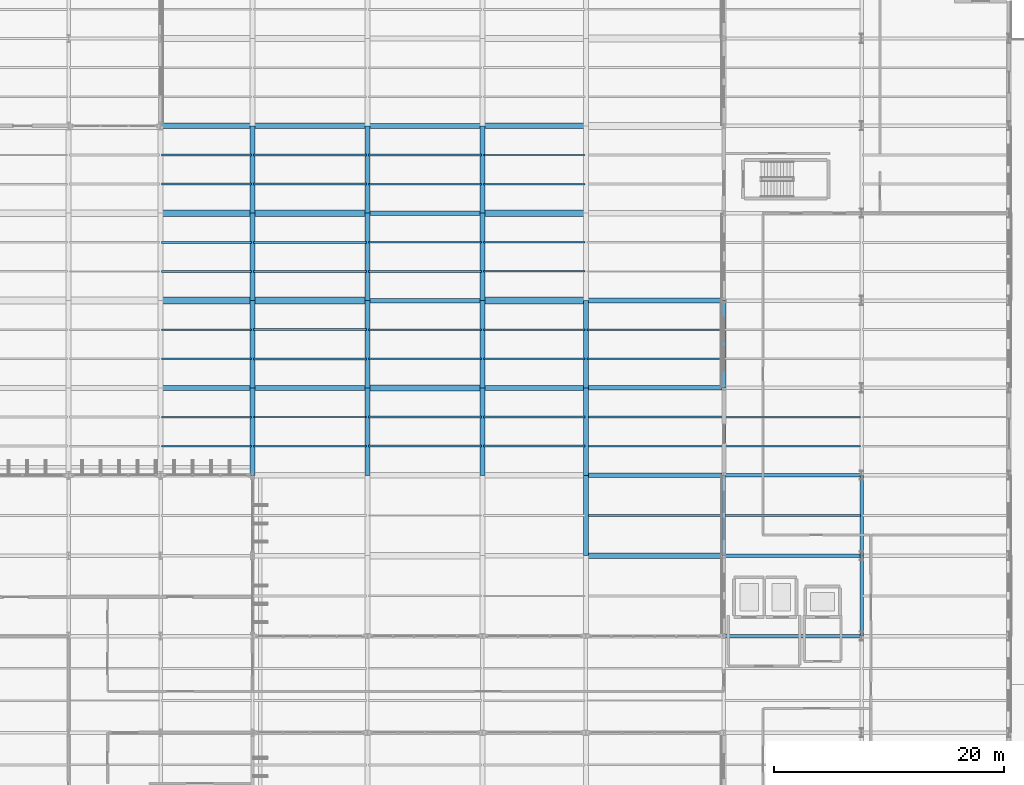
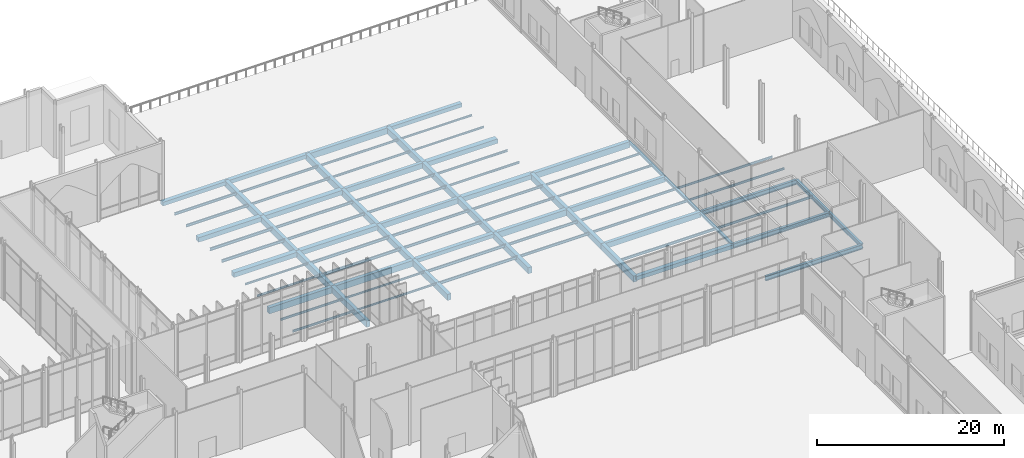
# One storey, part 111 of 176: 83 beams.
"""IFC4 building model written with IfcOpenShell, lengths in metres."""

from ifc_helpers import new_model, si_unit, direction, frame, origin, origin_2d, place, context, subcontext, project, spatial, rectangle, i_section, extrude, material, material_profile, profile_set, type_object, element, save


model = new_model("IFC4")

# Units and contexts
model_context = context("Model", 3, precision=1e-05, world=origin(), true_north=direction((0.0, 1.0)))
body_context = subcontext(model_context, "Body", "Model", "MODEL_VIEW")
ifc_project = project(units=[si_unit("LENGTHUNIT", "METRE"), si_unit("AREAUNIT", "SQUARE_METRE"), si_unit("VOLUMEUNIT", "CUBIC_METRE"), si_unit("PLANEANGLEUNIT", "RADIAN"), si_unit("MASSUNIT", "GRAM", prefix="KILO")], contexts=[model_context])

# Site, building, storey
site_placement = place(None, origin())
site = spatial("IfcSite", under=ifc_project, at=site_placement, CompositionType="ELEMENT")
building_placement = place(site_placement, origin())
building = spatial("IfcBuilding", under=site, at=building_placement, Name="Vekula Escarpment Museum", CompositionType="ELEMENT")
storey_placement = place(building_placement, origin())
storey = spatial("IfcBuildingStorey", under=building, at=storey_placement, Name="L01", CompositionType="ELEMENT", Elevation=0.0)

# Beams
ifc_material_1 = material(Name="Steel S355", Category="steel")
ifc_material_profile_1 = material_profile(ifc_material_1, i_section(OverallWidth=0.300048828125, OverallDepth=0.550048828125, WebThickness=0.014892578125, FlangeThickness=0.029052734375, FilletRadius=0.027099609375, at=origin_2d()), Name="HEB 550")
ifc_profile_set_1 = profile_set([ifc_material_profile_1], Name="Steel S355")
beam_type_1 = type_object("IfcBeamType", Name="BM-GIRD-HEB550", PredefinedType="BEAM", material=ifc_profile_set_1)
for number, where, z_axis, x_axis, name in (
    (1, (179.0, 76.39990234375, -0.574951171875), (0.0, 1.0, 0.0), (-1.0, 0.0, 0.0), "Beam Y L01 0754"),
    (2, (179.0, 83.39990234375, -0.574951171875), (0.0, 1.0, 0.0), (-1.0, 0.0, 0.0), "Beam Y L01 0755"),
):
    element("IfcBeam", number, at=place(storey_placement, frame(where, z_axis=z_axis, x_axis=x_axis)), inside=storey, type_object=beam_type_1, Name=name, PredefinedType="BEAM", context=body_context, shape_type="SweptSolid", body=[
        extrude(i_section(OverallWidth=0.300048828125, OverallDepth=0.550048828125, WebThickness=0.014892578125, FlangeThickness=0.029052734375, FilletRadius=0.027099609375, at=origin_2d()), origin(), (0.0, 0.0, 1.0), 7.0),
    ])
ifc_material_2 = material(Name="Steel S355", Category="steel")
ifc_material_profile_2 = material_profile(ifc_material_2, i_section(OverallWidth=0.300048828125, OverallDepth=0.60009765625, WebThickness=0.015380859375, FlangeThickness=0.030029296875, FilletRadius=0.027099609375, at=origin_2d()), Name="HEB 600")
ifc_profile_set_2 = profile_set([ifc_material_profile_2], Name="Steel S355")
beam_type_2 = type_object("IfcBeamType", Name="BM-GIRD-HEB600", PredefinedType="BEAM", material=ifc_profile_set_2)
for number, where, z_axis, x_axis, name in (
    (3, (167.0, 76.39990234375, -0.60009765625), (1.0, 0.0, 0.0), (0.0, 1.0, 0.0), "Beam X L01 0226"),
    (4, (167.0, 83.39990234375, -0.60009765625), (1.0, 0.0, 0.0), (0.0, 1.0, 0.0), "Beam X L01 0249"),
    (5, (167.0, 90.39990234375, -0.60009765625), (1.0, 0.0, 0.0), (0.0, 1.0, 0.0), "Beam X L01 0268"),
):
    element("IfcBeam", number, at=place(storey_placement, frame(where, z_axis=z_axis, x_axis=x_axis)), inside=storey, type_object=beam_type_2, Name=name, PredefinedType="BEAM", context=body_context, shape_type="SweptSolid", body=[
        extrude(i_section(OverallWidth=0.300048828125, OverallDepth=0.60009765625, WebThickness=0.015380859375, FlangeThickness=0.030029296875, FilletRadius=0.027099609375, at=origin_2d()), origin(), (0.0, 0.0, 1.0), 12.0),
    ])
ifc_material_3 = material(Name="Steel S355", Category="steel")
ifc_material_profile_3 = material_profile(ifc_material_3, i_section(OverallWidth=0.1201171875, OverallDepth=0.239990234375, WebThickness=0.006103515625, FlangeThickness=0.009765625, FilletRadius=0.014892578125, at=origin_2d()), Name="IPE 240")
ifc_profile_set_3 = profile_set([ifc_material_profile_3], Name="Steel S355")
beam_type_3 = type_object("IfcBeamType", Name="BM-JST-IPE240", PredefinedType="JOIST", material=ifc_profile_set_3)
for number, where, z_axis, x_axis, name in (
    (6, (118.090087890625, 100.533203125, -0.419921875), (1.0, 0.0, 0.0), (0.0, 1.0, 0.0), "Secondary Joist L01 0403"),
    (7, (118.090087890625, 103.066650390625, -0.419921875), (1.0, 0.0, 0.0), (0.0, 1.0, 0.0), "Secondary Joist L01 0404"),
):
    element("IfcBeam", number, at=place(storey_placement, frame(where, z_axis=z_axis, x_axis=x_axis)), inside=storey, type_object=beam_type_3, Name=name, PredefinedType="JOIST", context=body_context, shape_type="SweptSolid", body=[
        extrude(i_section(OverallWidth=0.1201171875, OverallDepth=0.239990234375, WebThickness=0.006103515625, FlangeThickness=0.009765625, FilletRadius=0.014892578125, at=origin_2d()), origin(), (0.0, 0.0, 1.0), 7.81982421875),
    ])
for number, where, z_axis, x_axis, name in (
    (8, (126.090087890625, 92.933349609375, -0.419921875), (1.0, 0.0, 0.0), (0.0, 1.0, 0.0), "Secondary Joist L01 0433"),
    (9, (126.090087890625, 95.466796875, -0.419921875), (1.0, 0.0, 0.0), (0.0, 1.0, 0.0), "Secondary Joist L01 0434"),
):
    element("IfcBeam", number, at=place(storey_placement, frame(where, z_axis=z_axis, x_axis=x_axis)), inside=storey, type_object=beam_type_3, Name=name, PredefinedType="JOIST", context=body_context, shape_type="SweptSolid", body=[
        extrude(i_section(OverallWidth=0.1201171875, OverallDepth=0.239990234375, WebThickness=0.006103515625, FlangeThickness=0.009765625, FilletRadius=0.014892578125, at=origin_2d()), origin(), (0.0, 0.0, 1.0), 9.81982421875),
    ])
for number, where, z_axis, x_axis, name in (
    (10, (146.090087890625, 115.7333984375, -0.419921875), (1.0, 0.0, 0.0), (0.0, 1.0, 0.0), "Secondary Joist L01 0501"),
    (11, (146.090087890625, 118.2666015625, -0.419921875), (1.0, 0.0, 0.0), (0.0, 1.0, 0.0), "Secondary Joist L01 0502"),
):
    element("IfcBeam", number, at=place(storey_placement, frame(where, z_axis=z_axis, x_axis=x_axis)), inside=storey, type_object=beam_type_3, Name=name, PredefinedType="JOIST", context=body_context, shape_type="SweptSolid", body=[
        extrude(i_section(OverallWidth=0.1201171875, OverallDepth=0.239990234375, WebThickness=0.006103515625, FlangeThickness=0.009765625, FilletRadius=0.014892578125, at=origin_2d()), origin(), (0.0, 0.0, 1.0), 8.81982421875),
    ])
ifc_material_4 = material(Name="Steel S355", Category="steel")
ifc_material_profile_4 = material_profile(ifc_material_4, i_section(OverallWidth=0.135009765625, OverallDepth=0.27001953125, WebThickness=0.006591796875, FlangeThickness=0.01025390625, FilletRadius=0.014892578125, at=origin_2d()), Name="IPE 270")
ifc_profile_set_4 = profile_set([ifc_material_profile_4], Name="Steel S355")
beam_type_4 = type_object("IfcBeamType", Name="BM-JST-IPE270", PredefinedType="JOIST", material=ifc_profile_set_4)
for number, where, z_axis, x_axis, name in (
    (12, (118.090087890625, 92.933349609375, -0.43505859375), (1.0, 0.0, 0.0), (0.0, 1.0, 0.0), "Secondary Joist L01 0401"),
    (13, (118.090087890625, 95.466796875, -0.43505859375), (1.0, 0.0, 0.0), (0.0, 1.0, 0.0), "Secondary Joist L01 0402"),
):
    element("IfcBeam", number, at=place(storey_placement, frame(where, z_axis=z_axis, x_axis=x_axis)), inside=storey, type_object=beam_type_4, Name=name, PredefinedType="JOIST", context=body_context, shape_type="SweptSolid", body=[
        extrude(i_section(OverallWidth=0.135009765625, OverallDepth=0.27001953125, WebThickness=0.006591796875, FlangeThickness=0.01025390625, FilletRadius=0.014892578125, at=origin_2d()), origin(), (0.0, 0.0, 1.0), 7.81982421875),
    ])
for number, where, z_axis, x_axis, name in (
    (14, (136.090087890625, 115.7333984375, -0.43505859375), (1.0, 0.0, 0.0), (0.0, 1.0, 0.0), "Secondary Joist L01 0469"),
    (15, (136.090087890625, 118.2666015625, -0.43505859375), (1.0, 0.0, 0.0), (0.0, 1.0, 0.0), "Secondary Joist L01 0470"),
):
    element("IfcBeam", number, at=place(storey_placement, frame(where, z_axis=z_axis, x_axis=x_axis)), inside=storey, type_object=beam_type_4, Name=name, PredefinedType="JOIST", context=body_context, shape_type="SweptSolid", body=[
        extrude(i_section(OverallWidth=0.135009765625, OverallDepth=0.27001953125, WebThickness=0.006591796875, FlangeThickness=0.01025390625, FilletRadius=0.014892578125, at=origin_2d()), origin(), (0.0, 0.0, 1.0), 9.81982421875),
    ])
for number, where, z_axis, x_axis, name in (
    (16, (146.090087890625, 108.13330078125, -0.43505859375), (1.0, 0.0, 0.0), (0.0, 1.0, 0.0), "Secondary Joist L01 0499"),
    (17, (146.090087890625, 110.666748046875, -0.43505859375), (1.0, 0.0, 0.0), (0.0, 1.0, 0.0), "Secondary Joist L01 0500"),
):
    element("IfcBeam", number, at=place(storey_placement, frame(where, z_axis=z_axis, x_axis=x_axis)), inside=storey, type_object=beam_type_4, Name=name, PredefinedType="JOIST", context=body_context, shape_type="SweptSolid", body=[
        extrude(i_section(OverallWidth=0.135009765625, OverallDepth=0.27001953125, WebThickness=0.006591796875, FlangeThickness=0.01025390625, FilletRadius=0.014892578125, at=origin_2d()), origin(), (0.0, 0.0, 1.0), 8.81982421875),
    ])
for number, where, z_axis, x_axis, name in (
    (18, (155.090087890625, 100.533203125, -0.43505859375), (1.0, 0.0, 0.0), (0.0, 1.0, 0.0), "Secondary Joist L01 0529"),
    (19, (155.090087890625, 103.066650390625, -0.43505859375), (1.0, 0.0, 0.0), (0.0, 1.0, 0.0), "Secondary Joist L01 0530"),
    (20, (167.090087890625, 92.933349609375, -0.43505859375), (1.0, 0.0, 0.0), (0.0, 1.0, 0.0), "Secondary Joist L01 0557"),
    (21, (167.090087890625, 95.466796875, -0.43505859375), (1.0, 0.0, 0.0), (0.0, 1.0, 0.0), "Secondary Joist L01 0558"),
):
    element("IfcBeam", number, at=place(storey_placement, frame(where, z_axis=z_axis, x_axis=x_axis)), inside=storey, type_object=beam_type_4, Name=name, PredefinedType="JOIST", context=body_context, shape_type="SweptSolid", body=[
        extrude(i_section(OverallWidth=0.135009765625, OverallDepth=0.27001953125, WebThickness=0.006591796875, FlangeThickness=0.01025390625, FilletRadius=0.014892578125, at=origin_2d()), origin(), (0.0, 0.0, 1.0), 11.81982421875),
    ])
ifc_material_5 = material(Name="Steel S355", Category="steel")
ifc_material_profile_5 = material_profile(ifc_material_5, i_section(OverallWidth=0.14990234375, OverallDepth=0.300048828125, WebThickness=0.007080078125, FlangeThickness=0.0107421875, FilletRadius=0.014892578125, at=origin_2d()), Name="IPE 300")
ifc_profile_set_5 = profile_set([ifc_material_profile_5], Name="Steel S355")
beam_type_5 = type_object("IfcBeamType", Name="BM-JST-IPE300", PredefinedType="JOIST", material=ifc_profile_set_5)
for number, where, z_axis, x_axis, name in (
    (22, (126.090087890625, 115.7333984375, -0.449951171875), (1.0, 0.0, 0.0), (0.0, 1.0, 0.0), "Secondary Joist L01 0439"),
    (23, (126.090087890625, 118.2666015625, -0.449951171875), (1.0, 0.0, 0.0), (0.0, 1.0, 0.0), "Secondary Joist L01 0440"),
    (24, (136.090087890625, 108.13330078125, -0.449951171875), (1.0, 0.0, 0.0), (0.0, 1.0, 0.0), "Secondary Joist L01 0467"),
    (25, (136.090087890625, 110.666748046875, -0.449951171875), (1.0, 0.0, 0.0), (0.0, 1.0, 0.0), "Secondary Joist L01 0468"),
):
    element("IfcBeam", number, at=place(storey_placement, frame(where, z_axis=z_axis, x_axis=x_axis)), inside=storey, type_object=beam_type_5, Name=name, PredefinedType="JOIST", context=body_context, shape_type="SweptSolid", body=[
        extrude(i_section(OverallWidth=0.14990234375, OverallDepth=0.300048828125, WebThickness=0.007080078125, FlangeThickness=0.0107421875, FilletRadius=0.014892578125, at=origin_2d()), origin(), (0.0, 0.0, 1.0), 9.81982421875),
    ])
for number, where, z_axis, x_axis, name in (
    (26, (146.090087890625, 100.533203125, -0.449951171875), (1.0, 0.0, 0.0), (0.0, 1.0, 0.0), "Secondary Joist L01 0497"),
    (27, (146.090087890625, 103.066650390625, -0.449951171875), (1.0, 0.0, 0.0), (0.0, 1.0, 0.0), "Secondary Joist L01 0498"),
):
    element("IfcBeam", number, at=place(storey_placement, frame(where, z_axis=z_axis, x_axis=x_axis)), inside=storey, type_object=beam_type_5, Name=name, PredefinedType="JOIST", context=body_context, shape_type="SweptSolid", body=[
        extrude(i_section(OverallWidth=0.14990234375, OverallDepth=0.300048828125, WebThickness=0.007080078125, FlangeThickness=0.0107421875, FilletRadius=0.014892578125, at=origin_2d()), origin(), (0.0, 0.0, 1.0), 8.81982421875),
    ])
for number, where, z_axis, x_axis, name in (
    (28, (155.090087890625, 92.933349609375, -0.449951171875), (1.0, 0.0, 0.0), (0.0, 1.0, 0.0), "Secondary Joist L01 0527"),
    (29, (155.090087890625, 95.466796875, -0.449951171875), (1.0, 0.0, 0.0), (0.0, 1.0, 0.0), "Secondary Joist L01 0528"),
    (30, (167.090087890625, 86.89990234375, -0.449951171875), (1.0, 0.0, 0.0), (0.0, 1.0, 0.0), "Secondary Joist L01 0556"),
):
    element("IfcBeam", number, at=place(storey_placement, frame(where, z_axis=z_axis, x_axis=x_axis)), inside=storey, type_object=beam_type_5, Name=name, PredefinedType="JOIST", context=body_context, shape_type="SweptSolid", body=[
        extrude(i_section(OverallWidth=0.14990234375, OverallDepth=0.300048828125, WebThickness=0.007080078125, FlangeThickness=0.0107421875, FilletRadius=0.014892578125, at=origin_2d()), origin(), (0.0, 0.0, 1.0), 11.81982421875),
    ])
ifc_material_6 = material(Name="Steel S355", Category="steel")
ifc_material_profile_6 = material_profile(ifc_material_6, i_section(OverallWidth=0.159912109375, OverallDepth=0.330078125, WebThickness=0.007568359375, FlangeThickness=0.011474609375, FilletRadius=0.01806640625, at=origin_2d()), Name="IPE 330")
ifc_profile_set_6 = profile_set([ifc_material_profile_6], Name="Steel S355")
beam_type_6 = type_object("IfcBeamType", Name="BM-JST-IPE330", PredefinedType="JOIST", material=ifc_profile_set_6)
for number, where, z_axis, x_axis, name in (
    (31, (118.090087890625, 115.7333984375, -0.465087890625), (1.0, 0.0, 0.0), (0.0, 1.0, 0.0), "Secondary Joist L01 0407"),
    (32, (118.090087890625, 118.2666015625, -0.465087890625), (1.0, 0.0, 0.0), (0.0, 1.0, 0.0), "Secondary Joist L01 0408"),
):
    element("IfcBeam", number, at=place(storey_placement, frame(where, z_axis=z_axis, x_axis=x_axis)), inside=storey, type_object=beam_type_6, Name=name, PredefinedType="JOIST", context=body_context, shape_type="SweptSolid", body=[
        extrude(i_section(OverallWidth=0.159912109375, OverallDepth=0.330078125, WebThickness=0.007568359375, FlangeThickness=0.011474609375, FilletRadius=0.01806640625, at=origin_2d()), origin(), (0.0, 0.0, 1.0), 7.81982421875),
    ])
for number, where, z_axis, x_axis, name in (
    (33, (126.090087890625, 108.13330078125, -0.465087890625), (1.0, 0.0, 0.0), (0.0, 1.0, 0.0), "Secondary Joist L01 0437"),
    (34, (126.090087890625, 110.666748046875, -0.465087890625), (1.0, 0.0, 0.0), (0.0, 1.0, 0.0), "Secondary Joist L01 0438"),
    (35, (136.090087890625, 100.533203125, -0.465087890625), (1.0, 0.0, 0.0), (0.0, 1.0, 0.0), "Secondary Joist L01 0465"),
    (36, (136.090087890625, 103.066650390625, -0.465087890625), (1.0, 0.0, 0.0), (0.0, 1.0, 0.0), "Secondary Joist L01 0466"),
):
    element("IfcBeam", number, at=place(storey_placement, frame(where, z_axis=z_axis, x_axis=x_axis)), inside=storey, type_object=beam_type_6, Name=name, PredefinedType="JOIST", context=body_context, shape_type="SweptSolid", body=[
        extrude(i_section(OverallWidth=0.159912109375, OverallDepth=0.330078125, WebThickness=0.007568359375, FlangeThickness=0.011474609375, FilletRadius=0.01806640625, at=origin_2d()), origin(), (0.0, 0.0, 1.0), 9.81982421875),
    ])
for number, where, z_axis, x_axis, name in (
    (37, (146.090087890625, 92.933349609375, -0.465087890625), (1.0, 0.0, 0.0), (0.0, 1.0, 0.0), "Secondary Joist L01 0495"),
    (38, (146.090087890625, 95.466796875, -0.465087890625), (1.0, 0.0, 0.0), (0.0, 1.0, 0.0), "Secondary Joist L01 0496"),
):
    element("IfcBeam", number, at=place(storey_placement, frame(where, z_axis=z_axis, x_axis=x_axis)), inside=storey, type_object=beam_type_6, Name=name, PredefinedType="JOIST", context=body_context, shape_type="SweptSolid", body=[
        extrude(i_section(OverallWidth=0.159912109375, OverallDepth=0.330078125, WebThickness=0.007568359375, FlangeThickness=0.011474609375, FilletRadius=0.01806640625, at=origin_2d()), origin(), (0.0, 0.0, 1.0), 8.81982421875),
    ])
beam_1_placement = place(storey_placement, frame((155.090087890625, 86.89990234375, -0.465087890625), z_axis=(1.0, 0.0, 0.0), x_axis=(0.0, 1.0, 0.0)))
element("IfcBeam", 39, at=beam_1_placement, inside=storey, type_object=beam_type_6, Name="Secondary Joist L01 0526", PredefinedType="JOIST", context=body_context, shape_type="SweptSolid", body=[
    extrude(i_section(OverallWidth=0.159912109375, OverallDepth=0.330078125, WebThickness=0.007568359375, FlangeThickness=0.011474609375, FilletRadius=0.01806640625, at=origin_2d()), origin(), (0.0, 0.0, 1.0), 11.81982421875),
])
ifc_material_7 = material(Name="Steel S355", Category="steel")
ifc_material_profile_7 = material_profile(ifc_material_7, i_section(OverallWidth=0.169921875, OverallDepth=0.360107421875, WebThickness=0.008056640625, FlangeThickness=0.0126953125, FilletRadius=0.01806640625, at=origin_2d()), Name="IPE 360")
ifc_profile_set_7 = profile_set([ifc_material_profile_7], Name="Steel S355")
beam_type_7 = type_object("IfcBeamType", Name="BM-JST-IPE360", PredefinedType="JOIST", material=ifc_profile_set_7)
for number, where, z_axis, x_axis, name in (
    (40, (118.090087890625, 108.13330078125, -0.47998046875), (1.0, 0.0, 0.0), (0.0, 1.0, 0.0), "Secondary Joist L01 0405"),
    (41, (118.090087890625, 110.666748046875, -0.47998046875), (1.0, 0.0, 0.0), (0.0, 1.0, 0.0), "Secondary Joist L01 0406"),
):
    element("IfcBeam", number, at=place(storey_placement, frame(where, z_axis=z_axis, x_axis=x_axis)), inside=storey, type_object=beam_type_7, Name=name, PredefinedType="JOIST", context=body_context, shape_type="SweptSolid", body=[
        extrude(i_section(OverallWidth=0.169921875, OverallDepth=0.360107421875, WebThickness=0.008056640625, FlangeThickness=0.0126953125, FilletRadius=0.01806640625, at=origin_2d()), origin(), (0.0, 0.0, 1.0), 7.81982421875),
    ])
for number, where, z_axis, x_axis, name in (
    (42, (126.090087890625, 100.533203125, -0.47998046875), (1.0, 0.0, 0.0), (0.0, 1.0, 0.0), "Secondary Joist L01 0435"),
    (43, (126.090087890625, 103.066650390625, -0.47998046875), (1.0, 0.0, 0.0), (0.0, 1.0, 0.0), "Secondary Joist L01 0436"),
    (44, (136.090087890625, 92.933349609375, -0.47998046875), (1.0, 0.0, 0.0), (0.0, 1.0, 0.0), "Secondary Joist L01 0463"),
    (45, (136.090087890625, 95.466796875, -0.47998046875), (1.0, 0.0, 0.0), (0.0, 1.0, 0.0), "Secondary Joist L01 0464"),
):
    element("IfcBeam", number, at=place(storey_placement, frame(where, z_axis=z_axis, x_axis=x_axis)), inside=storey, type_object=beam_type_7, Name=name, PredefinedType="JOIST", context=body_context, shape_type="SweptSolid", body=[
        extrude(i_section(OverallWidth=0.169921875, OverallDepth=0.360107421875, WebThickness=0.008056640625, FlangeThickness=0.0126953125, FilletRadius=0.01806640625, at=origin_2d()), origin(), (0.0, 0.0, 1.0), 9.81982421875),
    ])
ifc_material_8 = material(Name="Concrete C35/45", Category="concrete")
ifc_material_profile_8 = material_profile(ifc_material_8, rectangle(XDim=0.449951171875, YDim=0.800048828125, at=origin_2d()), Name="RC 450x800")
ifc_profile_set_8 = profile_set([ifc_material_profile_8], Name="Concrete C35/45")
beam_type_8 = type_object("IfcBeamType", Name="BM-PLINTH-RC", PredefinedType="BEAM", material=ifc_profile_set_8)
beam_2_placement = place(storey_placement, frame((118.0, 98.0, -0.699951171875), z_axis=(1.0, 0.0, 0.0), x_axis=(0.0, 1.0, 0.0)))
element("IfcBeam", 46, at=beam_2_placement, inside=storey, type_object=beam_type_8, Name="Beam X L01 0279", PredefinedType="BEAM", context=body_context, shape_type="SweptSolid", body=[
    extrude(rectangle(XDim=0.449951171875, YDim=0.800048828125, at=origin_2d()), origin(), (0.0, 0.0, 1.0), 8.0),
])
beam_3_placement = place(storey_placement, frame((126.0, 98.0, -0.699951171875), z_axis=(1.0, 0.0, 0.0), x_axis=(0.0, 1.0, 0.0)))
element("IfcBeam", 47, at=beam_3_placement, inside=storey, type_object=beam_type_8, Name="Beam X L01 0280", PredefinedType="BEAM", context=body_context, shape_type="SweptSolid", body=[
    extrude(rectangle(XDim=0.449951171875, YDim=0.800048828125, at=origin_2d()), origin(), (0.0, 0.0, 1.0), 10.0),
])
beam_4_placement = place(storey_placement, frame((146.0, 98.0, -0.699951171875), z_axis=(1.0, 0.0, 0.0), x_axis=(0.0, 1.0, 0.0)))
element("IfcBeam", 48, at=beam_4_placement, inside=storey, type_object=beam_type_8, Name="Beam X L01 0282", PredefinedType="BEAM", context=body_context, shape_type="SweptSolid", body=[
    extrude(rectangle(XDim=0.449951171875, YDim=0.800048828125, at=origin_2d()), origin(), (0.0, 0.0, 1.0), 9.0),
])
beam_5_placement = place(storey_placement, frame((155.0, 105.60009765625, -0.699951171875), z_axis=(1.0, 0.0, 0.0), x_axis=(0.0, 1.0, 0.0)))
element("IfcBeam", 49, at=beam_5_placement, inside=storey, type_object=beam_type_8, Name="Beam X L01 0303", PredefinedType="BEAM", context=body_context, shape_type="SweptSolid", body=[
    extrude(rectangle(XDim=0.449951171875, YDim=0.800048828125, at=origin_2d()), origin(), (0.0, 0.0, 1.0), 12.0),
])
beam_6_placement = place(storey_placement, frame((136.0, 120.800048828125, -0.699951171875), z_axis=(1.0, 0.0, 0.0), x_axis=(0.0, 1.0, 0.0)))
element("IfcBeam", 50, at=beam_6_placement, inside=storey, type_object=beam_type_8, Name="Beam X L01 0347", PredefinedType="BEAM", context=body_context, shape_type="SweptSolid", body=[
    extrude(rectangle(XDim=0.449951171875, YDim=0.800048828125, at=origin_2d()), origin(), (0.0, 0.0, 1.0), 10.0),
])
for number, where, z_axis, x_axis, name in (
    (51, (126.0, 90.39990234375, -0.699951171875), (0.0, 1.0, 0.0), (-1.0, 0.0, 0.0), "Beam Y L01 0661"),
    (52, (126.0, 98.0, -0.699951171875), (0.0, 1.0, 0.0), (-1.0, 0.0, 0.0), "Beam Y L01 0662"),
):
    element("IfcBeam", number, at=place(storey_placement, frame(where, z_axis=z_axis, x_axis=x_axis)), inside=storey, type_object=beam_type_8, Name=name, PredefinedType="BEAM", context=body_context, shape_type="SweptSolid", body=[
        extrude(rectangle(XDim=0.449951171875, YDim=0.800048828125, at=origin_2d()), origin(), (0.0, 0.0, 1.0), 7.60009765625),
    ])
beam_7_placement = place(storey_placement, frame((126.0, 105.60009765625, -0.699951171875), z_axis=(0.0, 1.0, 0.0), x_axis=(-1.0, 0.0, 0.0)))
element("IfcBeam", 53, at=beam_7_placement, inside=storey, type_object=beam_type_8, Name="Beam Y L01 0663", PredefinedType="BEAM", context=body_context, shape_type="SweptSolid", body=[
    extrude(rectangle(XDim=0.449951171875, YDim=0.800048828125, at=origin_2d()), origin(), (0.0, 0.0, 1.0), 7.599853515625),
])
for number, where, z_axis, x_axis, name in (
    (54, (126.0, 113.199951171875, -0.699951171875), (0.0, 1.0, 0.0), (-1.0, 0.0, 0.0), "Beam Y L01 0664"),
    (55, (136.0, 90.39990234375, -0.699951171875), (0.0, 1.0, 0.0), (-1.0, 0.0, 0.0), "Beam Y L01 0680"),
    (56, (136.0, 98.0, -0.699951171875), (0.0, 1.0, 0.0), (-1.0, 0.0, 0.0), "Beam Y L01 0681"),
):
    element("IfcBeam", number, at=place(storey_placement, frame(where, z_axis=z_axis, x_axis=x_axis)), inside=storey, type_object=beam_type_8, Name=name, PredefinedType="BEAM", context=body_context, shape_type="SweptSolid", body=[
        extrude(rectangle(XDim=0.449951171875, YDim=0.800048828125, at=origin_2d()), origin(), (0.0, 0.0, 1.0), 7.60009765625),
    ])
beam_8_placement = place(storey_placement, frame((136.0, 105.60009765625, -0.699951171875), z_axis=(0.0, 1.0, 0.0), x_axis=(-1.0, 0.0, 0.0)))
element("IfcBeam", 57, at=beam_8_placement, inside=storey, type_object=beam_type_8, Name="Beam Y L01 0682", PredefinedType="BEAM", context=body_context, shape_type="SweptSolid", body=[
    extrude(rectangle(XDim=0.449951171875, YDim=0.800048828125, at=origin_2d()), origin(), (0.0, 0.0, 1.0), 7.599853515625),
])
for number, where, z_axis, x_axis, name in (
    (58, (136.0, 113.199951171875, -0.699951171875), (0.0, 1.0, 0.0), (-1.0, 0.0, 0.0), "Beam Y L01 0683"),
    (59, (146.0, 90.39990234375, -0.699951171875), (0.0, 1.0, 0.0), (-1.0, 0.0, 0.0), "Beam Y L01 0699"),
    (60, (146.0, 98.0, -0.699951171875), (0.0, 1.0, 0.0), (-1.0, 0.0, 0.0), "Beam Y L01 0700"),
):
    element("IfcBeam", number, at=place(storey_placement, frame(where, z_axis=z_axis, x_axis=x_axis)), inside=storey, type_object=beam_type_8, Name=name, PredefinedType="BEAM", context=body_context, shape_type="SweptSolid", body=[
        extrude(rectangle(XDim=0.449951171875, YDim=0.800048828125, at=origin_2d()), origin(), (0.0, 0.0, 1.0), 7.60009765625),
    ])
beam_9_placement = place(storey_placement, frame((146.0, 105.60009765625, -0.699951171875), z_axis=(0.0, 1.0, 0.0), x_axis=(-1.0, 0.0, 0.0)))
element("IfcBeam", 61, at=beam_9_placement, inside=storey, type_object=beam_type_8, Name="Beam Y L01 0701", PredefinedType="BEAM", context=body_context, shape_type="SweptSolid", body=[
    extrude(rectangle(XDim=0.449951171875, YDim=0.800048828125, at=origin_2d()), origin(), (0.0, 0.0, 1.0), 7.599853515625),
])
beam_10_placement = place(storey_placement, frame((146.0, 113.199951171875, -0.699951171875), z_axis=(0.0, 1.0, 0.0), x_axis=(-1.0, 0.0, 0.0)))
element("IfcBeam", 62, at=beam_10_placement, inside=storey, type_object=beam_type_8, Name="Beam Y L01 0702", PredefinedType="BEAM", context=body_context, shape_type="SweptSolid", body=[
    extrude(rectangle(XDim=0.449951171875, YDim=0.800048828125, at=origin_2d()), origin(), (0.0, 0.0, 1.0), 7.60009765625),
])
beam_11_placement = place(storey_placement, frame((155.0, 83.39990234375, -0.699951171875), z_axis=(0.0, 1.0, 0.0), x_axis=(-1.0, 0.0, 0.0)))
element("IfcBeam", 63, at=beam_11_placement, inside=storey, type_object=beam_type_8, Name="Beam Y L01 0717", PredefinedType="BEAM", context=body_context, shape_type="SweptSolid", body=[
    extrude(rectangle(XDim=0.449951171875, YDim=0.800048828125, at=origin_2d()), origin(), (0.0, 0.0, 1.0), 7.0),
])
for number, where, z_axis, x_axis, name in (
    (64, (155.0, 90.39990234375, -0.699951171875), (0.0, 1.0, 0.0), (-1.0, 0.0, 0.0), "Beam Y L01 0718"),
    (65, (155.0, 98.0, -0.699951171875), (0.0, 1.0, 0.0), (-1.0, 0.0, 0.0), "Beam Y L01 0719"),
):
    element("IfcBeam", number, at=place(storey_placement, frame(where, z_axis=z_axis, x_axis=x_axis)), inside=storey, type_object=beam_type_8, Name=name, PredefinedType="BEAM", context=body_context, shape_type="SweptSolid", body=[
        extrude(rectangle(XDim=0.449951171875, YDim=0.800048828125, at=origin_2d()), origin(), (0.0, 0.0, 1.0), 7.60009765625),
    ])
ifc_material_9 = material(Name="Concrete C35/45", Category="concrete")
ifc_material_profile_9 = material_profile(ifc_material_9, rectangle(XDim=0.39990234375, YDim=0.699951171875, at=origin_2d()), Name="RC 400x700")
ifc_profile_set_9 = profile_set([ifc_material_profile_9], Name="Concrete C35/45")
beam_type_9 = type_object("IfcBeamType", Name="BM-PLINTH-RC2", PredefinedType="BEAM", material=ifc_profile_set_9)
for number, where, z_axis, x_axis, name in (
    (66, (155.0, 90.39990234375, -0.64990234375), (1.0, 0.0, 0.0), (0.0, 1.0, 0.0), "Beam X L01 0267"),
    (67, (155.0, 98.0, -0.64990234375), (1.0, 0.0, 0.0), (0.0, 1.0, 0.0), "Beam X L01 0283"),
):
    element("IfcBeam", number, at=place(storey_placement, frame(where, z_axis=z_axis, x_axis=x_axis)), inside=storey, type_object=beam_type_9, Name=name, PredefinedType="BEAM", context=body_context, shape_type="SweptSolid", body=[
        extrude(rectangle(XDim=0.39990234375, YDim=0.699951171875, at=origin_2d()), origin(), (0.0, 0.0, 1.0), 12.0),
    ])
for number, where, z_axis, x_axis, name in (
    (68, (136.0, 105.60009765625, -0.64990234375), (1.0, 0.0, 0.0), (0.0, 1.0, 0.0), "Beam X L01 0301"),
    (69, (136.0, 113.199951171875, -0.64990234375), (1.0, 0.0, 0.0), (0.0, 1.0, 0.0), "Beam X L01 0324"),
):
    element("IfcBeam", number, at=place(storey_placement, frame(where, z_axis=z_axis, x_axis=x_axis)), inside=storey, type_object=beam_type_9, Name=name, PredefinedType="BEAM", context=body_context, shape_type="SweptSolid", body=[
        extrude(rectangle(XDim=0.39990234375, YDim=0.699951171875, at=origin_2d()), origin(), (0.0, 0.0, 1.0), 10.0),
    ])
ifc_material_10 = material(Name="Concrete C35/45", Category="concrete")
ifc_material_profile_10 = material_profile(ifc_material_10, rectangle(XDim=0.5, YDim=0.5, at=origin_2d()), Name="RC 500x500")
ifc_profile_set_10 = profile_set([ifc_material_profile_10], Name="Concrete C35/45")
beam_type_10 = type_object("IfcBeamType", Name="BM-PLINTH-RC3", PredefinedType="BEAM", material=ifc_profile_set_10)
beam_12_placement = place(storey_placement, frame((155.0, 83.39990234375, -0.550048828125), z_axis=(1.0, 0.0, 0.0), x_axis=(0.0, 1.0, 0.0)))
element("IfcBeam", 70, at=beam_12_placement, inside=storey, type_object=beam_type_10, Name="Beam X L01 0248", PredefinedType="BEAM", context=body_context, shape_type="SweptSolid", body=[
    extrude(rectangle(XDim=0.5, YDim=0.5, at=origin_2d()), origin(), (0.0, 0.0, 1.0), 12.0),
])
beam_13_placement = place(storey_placement, frame((136.0, 98.0, -0.550048828125), z_axis=(1.0, 0.0, 0.0), x_axis=(0.0, 1.0, 0.0)))
element("IfcBeam", 71, at=beam_13_placement, inside=storey, type_object=beam_type_10, Name="Beam X L01 0281", PredefinedType="BEAM", context=body_context, shape_type="SweptSolid", body=[
    extrude(rectangle(XDim=0.5, YDim=0.5, at=origin_2d()), origin(), (0.0, 0.0, 1.0), 10.0),
])
beam_14_placement = place(storey_placement, frame((118.0, 120.800048828125, -0.550048828125), z_axis=(1.0, 0.0, 0.0), x_axis=(0.0, 1.0, 0.0)))
element("IfcBeam", 72, at=beam_14_placement, inside=storey, type_object=beam_type_10, Name="Beam X L01 0345", PredefinedType="BEAM", context=body_context, shape_type="SweptSolid", body=[
    extrude(rectangle(XDim=0.5, YDim=0.5, at=origin_2d()), origin(), (0.0, 0.0, 1.0), 8.0),
])
beam_15_placement = place(storey_placement, frame((126.0, 120.800048828125, -0.550048828125), z_axis=(1.0, 0.0, 0.0), x_axis=(0.0, 1.0, 0.0)))
element("IfcBeam", 73, at=beam_15_placement, inside=storey, type_object=beam_type_10, Name="Beam X L01 0346", PredefinedType="BEAM", context=body_context, shape_type="SweptSolid", body=[
    extrude(rectangle(XDim=0.5, YDim=0.5, at=origin_2d()), origin(), (0.0, 0.0, 1.0), 10.0),
])
beam_16_placement = place(storey_placement, frame((146.0, 120.800048828125, -0.550048828125), z_axis=(1.0, 0.0, 0.0), x_axis=(0.0, 1.0, 0.0)))
element("IfcBeam", 74, at=beam_16_placement, inside=storey, type_object=beam_type_10, Name="Beam X L01 0348", PredefinedType="BEAM", context=body_context, shape_type="SweptSolid", body=[
    extrude(rectangle(XDim=0.5, YDim=0.5, at=origin_2d()), origin(), (0.0, 0.0, 1.0), 9.0),
])
ifc_material_11 = material(Name="Concrete C35/45", Category="concrete")
ifc_material_profile_11 = material_profile(ifc_material_11, rectangle(XDim=0.60009765625, YDim=0.60009765625, at=origin_2d()), Name="RC 600x600")
ifc_profile_set_11 = profile_set([ifc_material_profile_11], Name="Concrete C35/45")
beam_type_11 = type_object("IfcBeamType", Name="BM-PLINTH-RC4", PredefinedType="BEAM", material=ifc_profile_set_11)
beam_17_placement = place(storey_placement, frame((118.0, 105.60009765625, -0.60009765625), z_axis=(1.0, 0.0, 0.0), x_axis=(0.0, 1.0, 0.0)))
element("IfcBeam", 75, at=beam_17_placement, inside=storey, type_object=beam_type_11, Name="Beam X L01 0299", PredefinedType="BEAM", context=body_context, shape_type="SweptSolid", body=[
    extrude(rectangle(XDim=0.60009765625, YDim=0.60009765625, at=origin_2d()), origin(), (0.0, 0.0, 1.0), 8.0),
])
beam_18_placement = place(storey_placement, frame((126.0, 105.60009765625, -0.60009765625), z_axis=(1.0, 0.0, 0.0), x_axis=(0.0, 1.0, 0.0)))
element("IfcBeam", 76, at=beam_18_placement, inside=storey, type_object=beam_type_11, Name="Beam X L01 0300", PredefinedType="BEAM", context=body_context, shape_type="SweptSolid", body=[
    extrude(rectangle(XDim=0.60009765625, YDim=0.60009765625, at=origin_2d()), origin(), (0.0, 0.0, 1.0), 10.0),
])
beam_19_placement = place(storey_placement, frame((146.0, 105.60009765625, -0.60009765625), z_axis=(1.0, 0.0, 0.0), x_axis=(0.0, 1.0, 0.0)))
element("IfcBeam", 77, at=beam_19_placement, inside=storey, type_object=beam_type_11, Name="Beam X L01 0302", PredefinedType="BEAM", context=body_context, shape_type="SweptSolid", body=[
    extrude(rectangle(XDim=0.60009765625, YDim=0.60009765625, at=origin_2d()), origin(), (0.0, 0.0, 1.0), 9.0),
])
beam_20_placement = place(storey_placement, frame((118.0, 113.199951171875, -0.60009765625), z_axis=(1.0, 0.0, 0.0), x_axis=(0.0, 1.0, 0.0)))
element("IfcBeam", 78, at=beam_20_placement, inside=storey, type_object=beam_type_11, Name="Beam X L01 0322", PredefinedType="BEAM", context=body_context, shape_type="SweptSolid", body=[
    extrude(rectangle(XDim=0.60009765625, YDim=0.60009765625, at=origin_2d()), origin(), (0.0, 0.0, 1.0), 8.0),
])
beam_21_placement = place(storey_placement, frame((126.0, 113.199951171875, -0.60009765625), z_axis=(1.0, 0.0, 0.0), x_axis=(0.0, 1.0, 0.0)))
element("IfcBeam", 79, at=beam_21_placement, inside=storey, type_object=beam_type_11, Name="Beam X L01 0323", PredefinedType="BEAM", context=body_context, shape_type="SweptSolid", body=[
    extrude(rectangle(XDim=0.60009765625, YDim=0.60009765625, at=origin_2d()), origin(), (0.0, 0.0, 1.0), 10.0),
])
beam_22_placement = place(storey_placement, frame((146.0, 113.199951171875, -0.60009765625), z_axis=(1.0, 0.0, 0.0), x_axis=(0.0, 1.0, 0.0)))
element("IfcBeam", 80, at=beam_22_placement, inside=storey, type_object=beam_type_11, Name="Beam X L01 0325", PredefinedType="BEAM", context=body_context, shape_type="SweptSolid", body=[
    extrude(rectangle(XDim=0.60009765625, YDim=0.60009765625, at=origin_2d()), origin(), (0.0, 0.0, 1.0), 9.0),
])
ifc_material_12 = material(Name="Steel S355", Category="steel")
ifc_material_profile_12 = material_profile(ifc_material_12, i_section(OverallWidth=0.300048828125, OverallDepth=0.2900390625, WebThickness=0.008544921875, FlangeThickness=0.013916015625, FilletRadius=0.027099609375, at=origin_2d()), Name="HEA 300")
ifc_profile_set_12 = profile_set([ifc_material_profile_12], Name="Steel S355")
beam_type_12 = type_object("IfcBeamType", Name="BM-SPAN-HEA300", PredefinedType="SPANDREL", material=ifc_profile_set_12)
beam_23_placement = place(storey_placement, frame((167.0, 83.39990234375, -0.445068359375), z_axis=(0.0, 1.0, 0.0), x_axis=(-1.0, 0.0, 0.0)))
element("IfcBeam", 81, at=beam_23_placement, inside=storey, type_object=beam_type_12, Name="Beam Y L01 0736", PredefinedType="SPANDREL", context=body_context, shape_type="SweptSolid", body=[
    extrude(i_section(OverallWidth=0.300048828125, OverallDepth=0.2900390625, WebThickness=0.008544921875, FlangeThickness=0.013916015625, FilletRadius=0.027099609375, at=origin_2d()), origin(), (0.0, 0.0, 1.0), 7.0),
])
for number, where, z_axis, x_axis, name in (
    (82, (167.0, 90.39990234375, -0.445068359375), (0.0, 1.0, 0.0), (-1.0, 0.0, 0.0), "Beam Y L01 0737"),
    (83, (167.0, 98.0, -0.445068359375), (0.0, 1.0, 0.0), (-1.0, 0.0, 0.0), "Beam Y L01 0738"),
):
    element("IfcBeam", number, at=place(storey_placement, frame(where, z_axis=z_axis, x_axis=x_axis)), inside=storey, type_object=beam_type_12, Name=name, PredefinedType="SPANDREL", context=body_context, shape_type="SweptSolid", body=[
        extrude(i_section(OverallWidth=0.300048828125, OverallDepth=0.2900390625, WebThickness=0.008544921875, FlangeThickness=0.013916015625, FilletRadius=0.027099609375, at=origin_2d()), origin(), (0.0, 0.0, 1.0), 7.60009765625),
    ])

save(model, "model.ifc")
